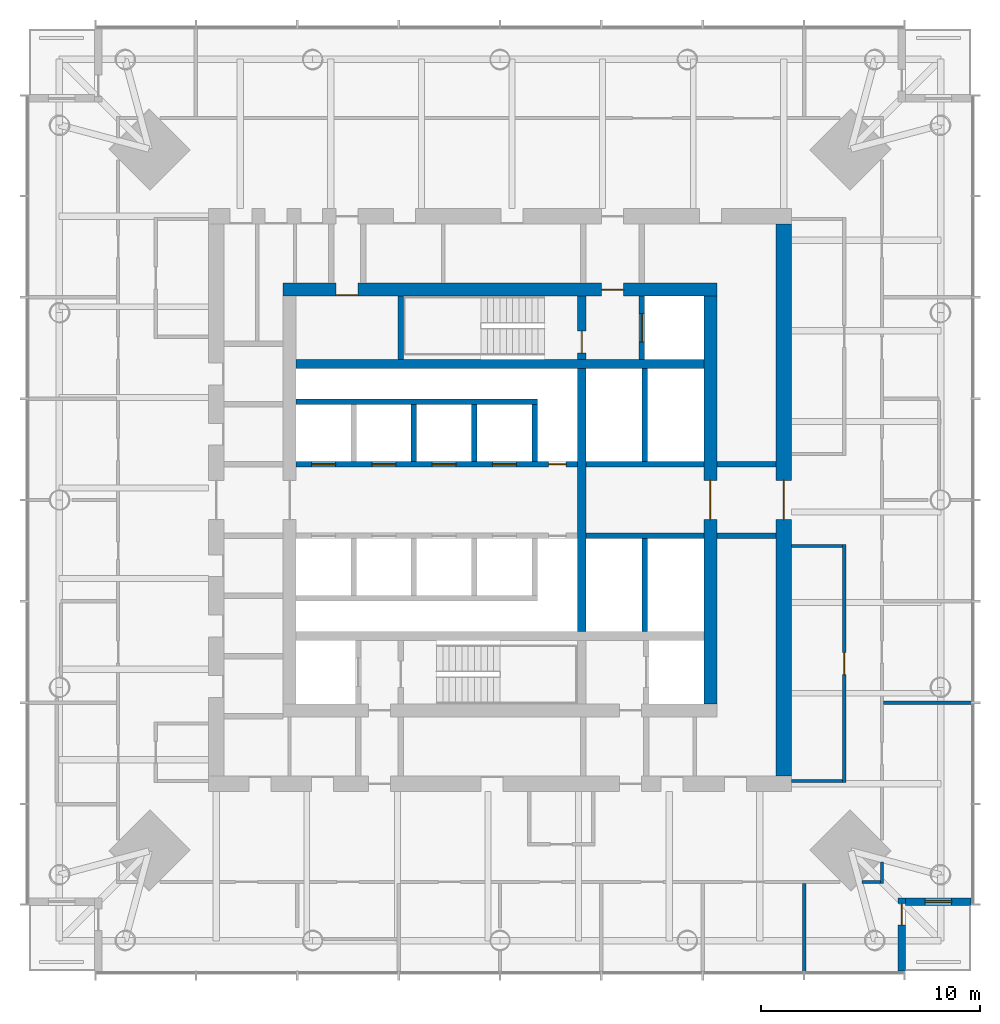
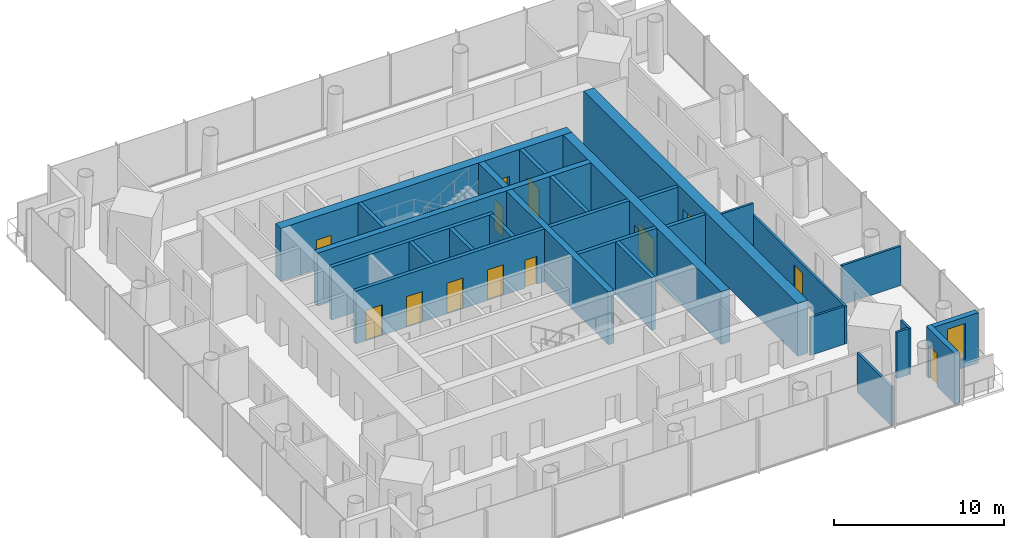
# One storey, part 6 of 9: 28 walls, 13 doors, 1 window, 14 openings.
"""IFC4 building model written with IfcOpenShell, lengths in metres."""

from ifc_helpers import new_model, si_unit, direction, frame, frame_2d, origin, place, context, subcontext, project, spatial, rectangle, extrude, material, layer, layer_set, type_object, element, fill, save


model = new_model("IFC4")

# Units and contexts
model_context = context("Model", 3, precision=1e-05, world=origin(), true_north=direction((0.0, 1.0)))
body_context = subcontext(model_context, "Body", "Model", "MODEL_VIEW")
ifc_project = project(units=[si_unit("LENGTHUNIT", "METRE"), si_unit("AREAUNIT", "SQUARE_METRE"), si_unit("VOLUMEUNIT", "CUBIC_METRE"), si_unit("PLANEANGLEUNIT", "RADIAN"), si_unit("MASSUNIT", "GRAM", prefix="KILO")], contexts=[model_context])

# Site, building, storey
site_placement = place(None, origin())
site = spatial("IfcSite", under=ifc_project, at=site_placement, CompositionType="ELEMENT")
building_placement = place(site_placement, origin())
building = spatial("IfcBuilding", under=site, at=building_placement, Name="Ostroluk Exchange", CompositionType="ELEMENT")
storey_placement = place(building_placement, frame((0.0, 0.0, 142.60009765625)))
storey = spatial("IfcBuildingStorey", under=building, at=storey_placement, Name="L36", CompositionType="ELEMENT", Elevation=142.60009765625)

# Walls
ifc_material_1 = material(Name="Concrete blockwork", Category="masonry")
ifc_layer_1 = layer(ifc_material_1, 0.25)
ifc_layer_set_1 = layer_set([ifc_layer_1], Name="Blockwork stair enclosure wall 250")
wall_type_1 = type_object("IfcWallType", Name="Blockwork stair enclosure wall 250", PredefinedType="SOLIDWALL", material=ifc_layer_set_1)
for number, where, z_axis, x_axis, name in (
    (1, (54.89990234375, 44.375, 0.0), (0.0, 0.0, 1.0), (1.0, 0.0, 0.0), "Lift lobby enclosure wall"),
    (2, (54.89990234375, 47.625, 0.0), (0.0, 0.0, 1.0), (1.0, 0.0, 0.0), "Lift lobby enclosure wall"),
):
    element("IfcWall", number, at=place(storey_placement, frame(where, z_axis=z_axis, x_axis=x_axis)), inside=storey, type_object=wall_type_1, Name=name, PredefinedType="SOLIDWALL", context=body_context, shape_type="SweptSolid", body=[
        extrude(rectangle(XDim=2.7001953125, YDim=0.25, at=frame_2d((1.35009765625, 0.0))), origin(), (0.0, 0.0, 1.0), 3.619873046875),
    ])
ifc_material_2 = material(Name="Concrete C50/60", Category="concrete")
ifc_layer_2 = layer(ifc_material_2, 0.39990234375)
ifc_layer_set_2 = layer_set([ifc_layer_2], Name="Core cross wall 400 C50/60")
wall_type_2 = type_object("IfcWallType", Name="Core cross wall 400 C50/60", PredefinedType="SHEAR", material=ifc_layer_set_2)
wall_1_placement = place(storey_placement, frame((35.699951171875, 52.199951171875, 0.0), z_axis=(0.0, 0.0, 1.0), x_axis=(1.0, 0.0, 0.0)))
element("IfcWall", 3, at=wall_1_placement, inside=storey, type_object=wall_type_2, Name="T1 core wall XN", PredefinedType="SHEAR", context=body_context, shape_type="SweptSolid", body=[
    extrude(rectangle(XDim=18.60009765625, YDim=0.39990234375, at=frame_2d((9.300048828125, 0.0))), origin(), (0.0, 0.0, 1.0), 3.7998046875),
])
wall_2_placement = place(storey_placement, frame((48.72998046875, 40.0, 0.0), z_axis=(0.0, 0.0, 1.0), x_axis=(0.0, 1.0, 0.0)))
element("IfcWall", 4, at=wall_2_placement, inside=storey, type_object=wall_type_2, Name="T1 core wall YE2", PredefinedType="SHEAR", context=body_context, shape_type="SweptSolid", body=[
    extrude(rectangle(XDim=12.0, YDim=0.39990234375, at=frame_2d((6.0, 0.0))), origin(), (0.0, 0.0, 1.0), 3.7998046875),
])

# Wall, opening, door
wall_3_placement = place(storey_placement, frame((48.72998046875, 52.39990234375, 0.0), z_axis=(0.0, 0.0, 1.0), x_axis=(0.0, 1.0, 0.0)))
wall_3 = element("IfcWall", 5, at=wall_3_placement, inside=storey, type_object=wall_type_2, Name="T1 core wall YE3", PredefinedType="SHEAR", context=body_context, shape_type="SweptSolid", body=[
    extrude(rectangle(XDim=2.900146484375, YDim=0.39990234375, at=frame_2d((1.4501953125, 0.0))), origin(), (0.0, 0.0, 1.0), 3.7998046875),
])
opening_1_placement = place(wall_3_placement, frame((0.300048828125, 0.0, 0.0)))
opening_1 = element("IfcOpeningElement", 6, at=opening_1_placement, cuts=wall_3, Name="Opening FD60", PredefinedType="OPENING", context=body_context, shape_type="SweptSolid", body=[
    extrude(rectangle(XDim=1.0, YDim=2.10009765625, at=frame_2d((0.5, 1.050048828125))), frame((0.0, 0.2099609375, 0.0), z_axis=(0.0, -1.0, 0.0), x_axis=(1.0, 0.0, 0.0)), (0.0, 0.0, 1.0), 0.419921875),
])
ifc_material_3 = material(Name="Steel", Category="steel")
door_type_1 = type_object("IfcDoorType", Name="Fire door EI 60 1000 x 2100", OperationType="SINGLE_SWING_LEFT", PredefinedType="DOOR", material=ifc_material_3)
door_1_placement = place(opening_1_placement, origin())
door_1 = element("IfcDoor", 7, at=door_1_placement, inside=storey, type_object=door_type_1, Name="Stair T1-S2 door", OperationType="SINGLE_SWING_LEFT", OverallHeight=2.10009765625, OverallWidth=1.0, PredefinedType="DOOR", context=body_context, shape_type="SweptSolid", body=[
    extrude(rectangle(XDim=1.0, YDim=2.10009765625, at=frame_2d((0.5, 1.050048828125))), frame((0.0, 0.02490234375, 0.0), z_axis=(0.0, -1.0, 0.0), x_axis=(1.0, 0.0, 0.0)), (0.0, 0.0, 1.0), 0.050048828125),
])
fill(opening_1, door_1)

# Wall
ifc_material_4 = material(Name="Concrete C40/50", Category="concrete")
ifc_layer_3 = layer(ifc_material_4, 0.25)
ifc_layer_set_3 = layer_set([ifc_layer_3], Name="Core shaft wall 250")
wall_type_3 = type_object("IfcWallType", Name="Core shaft wall 250", PredefinedType="SHEAR", material=ifc_layer_set_3)
wall_4_placement = place(storey_placement, frame((40.47509765625, 52.39990234375, 0.0), z_axis=(0.0, 0.0, 1.0), x_axis=(0.0, 1.0, 0.0)))
element("IfcWall", 8, at=wall_4_placement, inside=storey, type_object=wall_type_3, Name="Stair shaft wall", PredefinedType="SHEAR", context=body_context, shape_type="SweptSolid", body=[
    extrude(rectangle(XDim=2.900146484375, YDim=0.25, at=frame_2d((1.4501953125, 0.0))), origin(), (0.0, 0.0, 1.0), 3.7998046875),
])

# Wall, opening, door
wall_5_placement = place(storey_placement, frame((51.47509765625, 52.39990234375, 0.0), z_axis=(0.0, 0.0, 1.0), x_axis=(0.0, 1.0, 0.0)))
wall_5 = element("IfcWall", 9, at=wall_5_placement, inside=storey, type_object=wall_type_3, Name="Firefighting lift shaft wall", PredefinedType="SHEAR", context=body_context, shape_type="SweptSolid", body=[
    extrude(rectangle(XDim=2.900146484375, YDim=0.25, at=frame_2d((1.4501953125, 0.0))), origin(), (0.0, 0.0, 1.0), 3.7998046875),
])
opening_2_placement = place(wall_5_placement, frame((0.800048828125, 0.0, 0.0)))
opening_2 = element("IfcOpeningElement", 10, at=opening_2_placement, cuts=wall_5, Name="Opening LD2", PredefinedType="OPENING", context=body_context, shape_type="SweptSolid", body=[
    extrude(rectangle(XDim=1.300048828125, YDim=2.199951171875, at=frame_2d((0.64990234375, 1.10009765625))), frame((0.0, 0.135009765625, 0.0), z_axis=(0.0, -1.0, 0.0), x_axis=(1.0, 0.0, 0.0)), (0.0, 0.0, 1.0), 0.27001953125),
])
ifc_material_5 = material(Name="Stainless steel", Category="steel")
door_type_2 = type_object("IfcDoorType", Name="Lift landing door E 60 1300 x 2200", OperationType="DOUBLE_DOOR_SLIDING", PredefinedType="DOOR", material=ifc_material_5)
door_2_placement = place(opening_2_placement, origin())
door_2 = element("IfcDoor", 11, at=door_2_placement, inside=storey, type_object=door_type_2, Name="Lift FL2 landing door", OperationType="DOUBLE_DOOR_SLIDING", OverallHeight=2.199951171875, OverallWidth=1.300048828125, PredefinedType="DOOR", context=body_context, shape_type="SweptSolid", body=[
    extrude(rectangle(XDim=1.300048828125, YDim=2.199951171875, at=frame_2d((0.64990234375, 1.10009765625))), frame((0.0, 0.02490234375, 0.0), z_axis=(0.0, -1.0, 0.0), x_axis=(1.0, 0.0, 0.0)), (0.0, 0.0, 1.0), 0.050048828125),
])
fill(opening_2, door_2)

# Walls
for number, where, z_axis, x_axis, name in (
    (12, (41.074951171875, 47.75, 0.0), (0.0, 0.0, 1.0), (0.0, 1.0, 0.0), "Lift shaft wall"),
    (13, (43.824951171875, 47.75, 0.0), (0.0, 0.0, 1.0), (0.0, 1.0, 0.0), "Lift shaft wall"),
    (14, (46.574951171875, 47.75, 0.0), (0.0, 0.0, 1.0), (0.0, 1.0, 0.0), "Lift shaft wall"),
):
    element("IfcWall", number, at=place(storey_placement, frame(where, z_axis=z_axis, x_axis=x_axis)), inside=storey, type_object=wall_type_3, Name=name, PredefinedType="SHEAR", context=body_context, shape_type="SweptSolid", body=[
        extrude(rectangle(XDim=2.60009765625, YDim=0.25, at=frame_2d((1.300048828125, 0.0))), origin(), (0.0, 0.0, 1.0), 3.7998046875),
    ])
wall_6_placement = place(storey_placement, frame((35.699951171875, 50.47509765625, 0.0), z_axis=(0.0, 0.0, 1.0), x_axis=(1.0, 0.0, 0.0)))
element("IfcWall", 15, at=wall_6_placement, inside=storey, type_object=wall_type_3, Name="Lift shaft wall", PredefinedType="SHEAR", context=body_context, shape_type="SweptSolid", body=[
    extrude(rectangle(XDim=11.0, YDim=0.25, at=frame_2d((5.5, 0.0))), origin(), (0.0, 0.0, 1.0), 3.7998046875),
])

# Wall, openings, doors
wall_7_placement = place(storey_placement, frame((35.699951171875, 47.625, 0.0), z_axis=(0.0, 0.0, 1.0), x_axis=(1.0, 0.0, 0.0)))
wall_7 = element("IfcWall", 16, at=wall_7_placement, inside=storey, type_object=wall_type_3, Name="Lift shaft front wall", PredefinedType="SHEAR", context=body_context, shape_type="SweptSolid", body=[
    extrude(rectangle(XDim=12.830078125, YDim=0.25, at=frame_2d((6.4150390625, 0.0))), origin(), (0.0, 0.0, 1.0), 3.7998046875),
])
opening_3_placement = place(wall_7_placement, frame((0.699951171875, 0.0, 0.0)))
opening_3 = element("IfcOpeningElement", 17, at=opening_3_placement, cuts=wall_7, Name="Opening LD", PredefinedType="OPENING", context=body_context, shape_type="SweptSolid", body=[
    extrude(rectangle(XDim=1.10009765625, YDim=2.199951171875, at=frame_2d((0.550048828125, 1.10009765625))), frame((0.0, 0.135009765625, 0.0), z_axis=(0.0, -1.0, 0.0), x_axis=(1.0, 0.0, 0.0)), (0.0, 0.0, 1.0), 0.27001953125),
])
opening_4_placement = place(wall_7_placement, frame((3.449951171875, 0.0, 0.0)))
opening_4 = element("IfcOpeningElement", 18, at=opening_4_placement, cuts=wall_7, Name="Opening LD", PredefinedType="OPENING", context=body_context, shape_type="SweptSolid", body=[
    extrude(rectangle(XDim=1.10009765625, YDim=2.199951171875, at=frame_2d((0.550048828125, 1.10009765625))), frame((0.0, 0.135009765625, 0.0), z_axis=(0.0, -1.0, 0.0), x_axis=(1.0, 0.0, 0.0)), (0.0, 0.0, 1.0), 0.27001953125),
])
opening_5_placement = place(wall_7_placement, frame((6.199951171875, 0.0, 0.0)))
opening_5 = element("IfcOpeningElement", 19, at=opening_5_placement, cuts=wall_7, Name="Opening LD", PredefinedType="OPENING", context=body_context, shape_type="SweptSolid", body=[
    extrude(rectangle(XDim=1.10009765625, YDim=2.199951171875, at=frame_2d((0.550048828125, 1.10009765625))), frame((0.0, 0.135009765625, 0.0), z_axis=(0.0, -1.0, 0.0), x_axis=(1.0, 0.0, 0.0)), (0.0, 0.0, 1.0), 0.27001953125),
])
opening_6_placement = place(wall_7_placement, frame((8.949951171875, 0.0, 0.0)))
opening_6 = element("IfcOpeningElement", 20, at=opening_6_placement, cuts=wall_7, Name="Opening LD", PredefinedType="OPENING", context=body_context, shape_type="SweptSolid", body=[
    extrude(rectangle(XDim=1.10009765625, YDim=2.199951171875, at=frame_2d((0.550048828125, 1.10009765625))), frame((0.0, 0.135009765625, 0.0), z_axis=(0.0, -1.0, 0.0), x_axis=(1.0, 0.0, 0.0)), (0.0, 0.0, 1.0), 0.27001953125),
])
opening_7_placement = place(wall_7_placement, frame((11.514892578125, 0.0, 0.0)))
opening_7 = element("IfcOpeningElement", 21, at=opening_7_placement, cuts=wall_7, Name="Opening RD60", PredefinedType="OPENING", context=body_context, shape_type="SweptSolid", body=[
    extrude(rectangle(XDim=0.800048828125, YDim=2.0, at=frame_2d((0.39990234375, 1.0))), frame((0.0, 0.135009765625, 0.0), z_axis=(0.0, -1.0, 0.0), x_axis=(1.0, 0.0, 0.0)), (0.0, 0.0, 1.0), 0.27001953125),
])
ifc_material_6 = material(Name="Stainless steel", Category="steel")
door_type_3 = type_object("IfcDoorType", Name="Lift landing door E 60 1100 x 2200", OperationType="DOUBLE_DOOR_SLIDING", PredefinedType="DOOR", material=ifc_material_6)
door_3_placement = place(opening_3_placement, origin())
door_3 = element("IfcDoor", 22, at=door_3_placement, inside=storey, type_object=door_type_3, Name="Lift PL-M1 landing door", OperationType="DOUBLE_DOOR_SLIDING", OverallHeight=2.199951171875, OverallWidth=1.10009765625, PredefinedType="DOOR", context=body_context, shape_type="SweptSolid", body=[
    extrude(rectangle(XDim=1.10009765625, YDim=2.199951171875, at=frame_2d((0.550048828125, 1.10009765625))), frame((0.0, 0.02490234375, 0.0), z_axis=(0.0, -1.0, 0.0), x_axis=(1.0, 0.0, 0.0)), (0.0, 0.0, 1.0), 0.050048828125),
])
fill(opening_3, door_3)
door_4_placement = place(opening_4_placement, origin())
door_4 = element("IfcDoor", 23, at=door_4_placement, inside=storey, type_object=door_type_3, Name="Lift PL-M2 landing door", OperationType="DOUBLE_DOOR_SLIDING", OverallHeight=2.199951171875, OverallWidth=1.10009765625, PredefinedType="DOOR", context=body_context, shape_type="SweptSolid", body=[
    extrude(rectangle(XDim=1.10009765625, YDim=2.199951171875, at=frame_2d((0.550048828125, 1.10009765625))), frame((0.0, 0.02490234375, 0.0), z_axis=(0.0, -1.0, 0.0), x_axis=(1.0, 0.0, 0.0)), (0.0, 0.0, 1.0), 0.050048828125),
])
fill(opening_4, door_4)
door_5_placement = place(opening_5_placement, origin())
door_5 = element("IfcDoor", 24, at=door_5_placement, inside=storey, type_object=door_type_3, Name="Lift PL-M3 landing door", OperationType="DOUBLE_DOOR_SLIDING", OverallHeight=2.199951171875, OverallWidth=1.10009765625, PredefinedType="DOOR", context=body_context, shape_type="SweptSolid", body=[
    extrude(rectangle(XDim=1.10009765625, YDim=2.199951171875, at=frame_2d((0.550048828125, 1.10009765625))), frame((0.0, 0.02490234375, 0.0), z_axis=(0.0, -1.0, 0.0), x_axis=(1.0, 0.0, 0.0)), (0.0, 0.0, 1.0), 0.050048828125),
])
fill(opening_5, door_5)
door_6_placement = place(opening_6_placement, origin())
door_6 = element("IfcDoor", 25, at=door_6_placement, inside=storey, type_object=door_type_3, Name="Lift PL-M4 landing door", OperationType="DOUBLE_DOOR_SLIDING", OverallHeight=2.199951171875, OverallWidth=1.10009765625, PredefinedType="DOOR", context=body_context, shape_type="SweptSolid", body=[
    extrude(rectangle(XDim=1.10009765625, YDim=2.199951171875, at=frame_2d((0.550048828125, 1.10009765625))), frame((0.0, 0.02490234375, 0.0), z_axis=(0.0, -1.0, 0.0), x_axis=(1.0, 0.0, 0.0)), (0.0, 0.0, 1.0), 0.050048828125),
])
fill(opening_6, door_6)
ifc_material_7 = material(Name="Steel", Category="steel")
door_type_4 = type_object("IfcDoorType", Name="Riser access door EI 60 800 x 2000", OperationType="SINGLE_SWING_LEFT", PredefinedType="DOOR", material=ifc_material_7)
door_7_placement = place(opening_7_placement, origin())
door_7 = element("IfcDoor", 26, at=door_7_placement, inside=storey, type_object=door_type_4, Name="Riser access door", OperationType="SINGLE_SWING_RIGHT", OverallHeight=2.0, OverallWidth=0.800048828125, PredefinedType="DOOR", context=body_context, shape_type="SweptSolid", body=[
    extrude(rectangle(XDim=0.800048828125, YDim=2.0, at=frame_2d((0.39990234375, 1.0))), frame((0.0, 0.02490234375, 0.0), z_axis=(0.0, -1.0, 0.0), x_axis=(1.0, 0.0, 0.0)), (0.0, 0.0, 1.0), 0.050048828125),
])
fill(opening_7, door_7)

# Walls
wall_8_placement = place(storey_placement, frame((51.614990234375, 47.75, 0.0), z_axis=(0.0, 0.0, 1.0), x_axis=(0.0, 1.0, 0.0)))
element("IfcWall", 27, at=wall_8_placement, inside=storey, type_object=wall_type_3, Name="Lift shaft wall", PredefinedType="SHEAR", context=body_context, shape_type="SweptSolid", body=[
    extrude(rectangle(XDim=4.25, YDim=0.25, at=frame_2d((2.125, 0.0))), origin(), (0.0, 0.0, 1.0), 3.7998046875),
])
wall_9_placement = place(storey_placement, frame((48.929931640625, 47.625, 0.0), z_axis=(0.0, 0.0, 1.0), x_axis=(1.0, 0.0, 0.0)))
element("IfcWall", 28, at=wall_9_placement, inside=storey, type_object=wall_type_3, Name="Lift shaft front wall", PredefinedType="SHEAR", context=body_context, shape_type="SweptSolid", body=[
    extrude(rectangle(XDim=5.3701171875, YDim=0.25, at=frame_2d((2.68505859375, 0.0))), origin(), (0.0, 0.0, 1.0), 3.7998046875),
])
wall_10_placement = place(storey_placement, frame((51.614990234375, 44.25, 0.0), z_axis=(0.0, 0.0, 1.0), x_axis=(0.0, -1.0, 0.0)))
element("IfcWall", 29, at=wall_10_placement, inside=storey, type_object=wall_type_3, Name="Lift shaft wall", PredefinedType="SHEAR", context=body_context, shape_type="SweptSolid", body=[
    extrude(rectangle(XDim=4.25, YDim=0.25, at=frame_2d((2.125, 0.0))), origin(), (0.0, 0.0, 1.0), 3.7998046875),
])
wall_11_placement = place(storey_placement, frame((48.929931640625, 44.375, 0.0), z_axis=(0.0, 0.0, 1.0), x_axis=(1.0, 0.0, 0.0)))
element("IfcWall", 30, at=wall_11_placement, inside=storey, type_object=wall_type_3, Name="Lift shaft front wall", PredefinedType="SHEAR", context=body_context, shape_type="SweptSolid", body=[
    extrude(rectangle(XDim=5.3701171875, YDim=0.25, at=frame_2d((2.68505859375, 0.0))), origin(), (0.0, 0.0, 1.0), 3.7998046875),
])

# Wall, openings, doors
ifc_material_8 = material(Name="Concrete C50/60", Category="concrete")
ifc_layer_4 = layer(ifc_material_8, 0.60009765625)
ifc_layer_set_4 = layer_set([ifc_layer_4], Name="Core wall 600 C50/60")
wall_type_4 = type_object("IfcWallType", Name="Core wall 600 C50/60", PredefinedType="SHEAR", material=ifc_layer_set_4)
wall_12_placement = place(storey_placement, frame((35.10009765625, 55.60009765625, 0.0), z_axis=(0.0, 0.0, 1.0), x_axis=(1.0, 0.0, 0.0)))
wall_12 = element("IfcWall", 31, at=wall_12_placement, inside=storey, type_object=wall_type_4, Name="T1 core wall N", PredefinedType="SHEAR", context=body_context, shape_type="SweptSolid", body=[
    extrude(rectangle(XDim=19.7998046875, YDim=0.60009765625, at=frame_2d((9.89990234375, 0.0))), origin(), (0.0, 0.0, 1.0), 3.7998046875),
])
opening_8_placement = place(wall_12_placement, frame((14.5400390625, 0.0, 0.0)))
opening_8 = element("IfcOpeningElement", 32, at=opening_8_placement, cuts=wall_12, Name="Opening FD60", PredefinedType="OPENING", context=body_context, shape_type="SweptSolid", body=[
    extrude(rectangle(XDim=1.0, YDim=2.10009765625, at=frame_2d((0.5, 1.050048828125))), frame((0.0, 0.31005859375, 0.0), z_axis=(0.0, -1.0, 0.0), x_axis=(1.0, 0.0, 0.0)), (0.0, 0.0, 1.0), 0.6201171875),
])
opening_9_placement = place(wall_12_placement, frame((2.425048828125, 0.0, 0.0)))
opening_9 = element("IfcOpeningElement", 33, at=opening_9_placement, cuts=wall_12, Name="Opening FD60", PredefinedType="OPENING", context=body_context, shape_type="SweptSolid", body=[
    extrude(rectangle(XDim=1.0, YDim=2.10009765625, at=frame_2d((0.5, 1.050048828125))), frame((0.0, 0.31005859375, 0.0), z_axis=(0.0, -1.0, 0.0), x_axis=(1.0, 0.0, 0.0)), (0.0, 0.0, 1.0), 0.6201171875),
])
door_8_placement = place(opening_8_placement, origin())
door_8 = element("IfcDoor", 34, at=door_8_placement, inside=storey, type_object=door_type_1, Name="Firefighting lobby door", OperationType="SINGLE_SWING_RIGHT", OverallHeight=2.10009765625, OverallWidth=1.0, PredefinedType="DOOR", context=body_context, shape_type="SweptSolid", body=[
    extrude(rectangle(XDim=1.0, YDim=2.10009765625, at=frame_2d((0.5, 1.050048828125))), frame((0.0, 0.02490234375, 0.0), z_axis=(0.0, -1.0, 0.0), x_axis=(1.0, 0.0, 0.0)), (0.0, 0.0, 1.0), 0.050048828125),
])
fill(opening_8, door_8)
door_9_placement = place(opening_9_placement, origin())
door_9 = element("IfcDoor", 35, at=door_9_placement, inside=storey, type_object=door_type_1, Name="Tea point door", OperationType="SINGLE_SWING_LEFT", OverallHeight=2.10009765625, OverallWidth=1.0, PredefinedType="DOOR", context=body_context, shape_type="SweptSolid", body=[
    extrude(rectangle(XDim=1.0, YDim=2.10009765625, at=frame_2d((0.5, 1.050048828125))), frame((0.0, -0.23974609375, 0.0), z_axis=(0.0, -1.0, 0.0), x_axis=(1.0, 0.0, 0.0)), (0.0, 0.0, 1.0), 0.050048828125),
])
fill(opening_9, door_9)

# Wall, opening, door
wall_13_placement = place(storey_placement, frame((54.60009765625, 36.699951171875, 0.0), z_axis=(0.0, 0.0, 1.0), x_axis=(0.0, 1.0, 0.0)))
wall_13 = element("IfcWall", 36, at=wall_13_placement, inside=storey, type_object=wall_type_4, Name="T1 core wall E", PredefinedType="SHEAR", context=body_context, shape_type="SweptSolid", body=[
    extrude(rectangle(XDim=18.60009765625, YDim=0.60009765625, at=frame_2d((9.300048828125, 0.0))), origin(), (0.0, 0.0, 1.0), 3.7998046875),
])
opening_10_placement = place(wall_13_placement, frame((8.39990234375, 0.0, 0.0)))
opening_10 = element("IfcOpeningElement", 37, at=opening_10_placement, cuts=wall_13, Name="Opening FD30D", PredefinedType="OPENING", context=body_context, shape_type="SweptSolid", body=[
    extrude(rectangle(XDim=1.800048828125, YDim=2.39990234375, at=frame_2d((0.89990234375, 1.199951171875))), frame((0.0, 0.31005859375, 0.0), z_axis=(0.0, -1.0, 0.0), x_axis=(1.0, 0.0, 0.0)), (0.0, 0.0, 1.0), 0.6201171875),
])
ifc_material_9 = material(Name="Timber", Category="wood")
door_type_5 = type_object("IfcDoorType", Name="Lobby double door EI 30 1800 x 2400", OperationType="DOUBLE_DOOR_SINGLE_SWING", PredefinedType="DOOR", material=ifc_material_9)
door_10_placement = place(opening_10_placement, origin())
door_10 = element("IfcDoor", 38, at=door_10_placement, inside=storey, type_object=door_type_5, Name="Lift lobby doors", OperationType="DOUBLE_DOOR_SINGLE_SWING", OverallHeight=2.39990234375, OverallWidth=1.800048828125, PredefinedType="DOOR", context=body_context, shape_type="SweptSolid", body=[
    extrude(rectangle(XDim=1.800048828125, YDim=2.39990234375, at=frame_2d((0.89990234375, 1.199951171875))), frame((0.0, 0.02490234375, 0.0), z_axis=(0.0, -1.0, 0.0), x_axis=(1.0, 0.0, 0.0)), (0.0, 0.0, 1.0), 0.050048828125),
])
fill(opening_10, door_10)

ifc_material_10 = material(Name="Concrete C50/60", Category="concrete")
ifc_layer_5 = layer(ifc_material_10, 0.699951171875)
ifc_layer_set_5 = layer_set([ifc_layer_5], Name="Core wall 700 C50/60")
wall_type_5 = type_object("IfcWallType", Name="Core wall 700 C50/60", PredefinedType="SHEAR", material=ifc_layer_set_5)
wall_14_placement = place(storey_placement, frame((57.949951171875, 33.39990234375, 0.0), z_axis=(0.0, 0.0, 1.0), x_axis=(0.0, 1.0, 0.0)))
wall_14 = element("IfcWall", 39, at=wall_14_placement, inside=storey, type_object=wall_type_5, Name="T1 core wall RE", PredefinedType="SHEAR", context=body_context, shape_type="SweptSolid", body=[
    extrude(rectangle(XDim=25.2001953125, YDim=0.699951171875, at=frame_2d((12.60009765625, 0.0))), origin(), (0.0, 0.0, 1.0), 3.7998046875),
])
opening_11_placement = place(wall_14_placement, frame((11.699951171875, 0.0, 0.0)))
opening_11 = element("IfcOpeningElement", 40, at=opening_11_placement, cuts=wall_14, Name="Opening FD30D", PredefinedType="OPENING", context=body_context, shape_type="SweptSolid", body=[
    extrude(rectangle(XDim=1.800048828125, YDim=2.39990234375, at=frame_2d((0.89990234375, 1.199951171875))), frame((0.0, 0.35986328125, 0.0), z_axis=(0.0, -1.0, 0.0), x_axis=(1.0, 0.0, 0.0)), (0.0, 0.0, 1.0), 0.719970703125),
])
door_11_placement = place(opening_11_placement, origin())
door_11 = element("IfcDoor", 41, at=door_11_placement, inside=storey, type_object=door_type_5, Name="Lift lobby doors", OperationType="DOUBLE_DOOR_SINGLE_SWING", OverallHeight=2.39990234375, OverallWidth=1.800048828125, PredefinedType="DOOR", context=body_context, shape_type="SweptSolid", body=[
    extrude(rectangle(XDim=1.800048828125, YDim=2.39990234375, at=frame_2d((0.89990234375, 1.199951171875))), frame((0.0, 0.02490234375, 0.0), z_axis=(0.0, -1.0, 0.0), x_axis=(1.0, 0.0, 0.0)), (0.0, 0.0, 1.0), 0.050048828125),
])
fill(opening_11, door_11)

ifc_material_11 = material(Name="Limestone", Category="masonry")
ifc_layer_6 = layer(ifc_material_11, 0.35009765625)
ifc_layer_set_6 = layer_set([ifc_layer_6], Name="Limestone facade wall 350")
wall_type_6 = type_object("IfcWallType", Name="Limestone facade wall 350", PredefinedType="SOLIDWALL", material=ifc_layer_set_6)
wall_15_placement = place(storey_placement, frame((63.324951171875, 24.5, 0.0), z_axis=(0.0, 0.0, 1.0), x_axis=(0.0, 1.0, 0.0)))
wall_15 = element("IfcWall", 42, at=wall_15_placement, inside=storey, type_object=wall_type_6, Name="Office tower SE corner wall L36 a", PredefinedType="SOLIDWALL", context=body_context, shape_type="SweptSolid", body=[
    extrude(rectangle(XDim=3.35009765625, YDim=0.35009765625, at=frame_2d((1.675048828125, 0.0))), origin(), (0.0, 0.0, 1.0), 3.619873046875),
])
opening_12_placement = place(wall_15_placement, frame((2.10009765625, 0.0, 0.0)))
opening_12 = element("IfcOpeningElement", 43, at=opening_12_placement, cuts=wall_15, Name="Opening D-B1", PredefinedType="OPENING", context=body_context, shape_type="SweptSolid", body=[
    extrude(rectangle(XDim=1.0, YDim=2.39990234375, at=frame_2d((0.5, 1.199951171875))), frame((0.0, 0.18505859375, 0.0), z_axis=(0.0, -1.0, 0.0), x_axis=(1.0, 0.0, 0.0)), (0.0, 0.0, 1.0), 0.3701171875),
])
ifc_material_12 = material(Name="Bronze framed glazed door", Category="aluminium")
door_type_6 = type_object("IfcDoorType", Name="Balcony door 1000 x 2400", OperationType="SINGLE_SWING_LEFT", PredefinedType="DOOR", material=ifc_material_12)
door_12_placement = place(opening_12_placement, origin())
door_12 = element("IfcDoor", 44, at=door_12_placement, inside=storey, type_object=door_type_6, Name="Office tower SE balcony door L36", OperationType="SINGLE_SWING_RIGHT", OverallHeight=2.39990234375, OverallWidth=1.0, PredefinedType="DOOR", context=body_context, shape_type="SweptSolid", body=[
    extrude(rectangle(XDim=1.0, YDim=2.39990234375, at=frame_2d((0.5, 1.199951171875))), frame((0.0, 0.02490234375, 0.0), z_axis=(0.0, -1.0, 0.0), x_axis=(1.0, 0.0, 0.0)), (0.0, 0.0, 1.0), 0.050048828125),
])
fill(opening_12, door_12)

# Wall, opening, window
wall_16_placement = place(storey_placement, frame((63.5, 27.675048828125, 0.0), z_axis=(0.0, 0.0, 1.0), x_axis=(1.0, 0.0, 0.0)))
wall_16 = element("IfcWall", 45, at=wall_16_placement, inside=storey, type_object=wall_type_6, Name="Office tower SE corner wall L36 b", PredefinedType="SOLIDWALL", context=body_context, shape_type="SweptSolid", body=[
    extrude(rectangle(XDim=3.0, YDim=0.35009765625, at=frame_2d((1.5, 0.0))), origin(), (0.0, 0.0, 1.0), 3.619873046875),
])
opening_13_placement = place(wall_16_placement, frame((0.89990234375, 0.0, 0.60009765625)))
opening_13 = element("IfcOpeningElement", 46, at=opening_13_placement, cuts=wall_16, Name="Opening WN-L1", PredefinedType="OPENING", context=body_context, shape_type="SweptSolid", body=[
    extrude(rectangle(XDim=1.199951171875, YDim=2.550048828125, at=frame_2d((0.60009765625, 1.27490234375))), frame((0.0, 0.18505859375, 0.0), z_axis=(0.0, -1.0, 0.0), x_axis=(1.0, 0.0, 0.0)), (0.0, 0.0, 1.0), 0.3701171875),
])
ifc_material_13 = material(Name="Laminated clear glass", Category="glass")
window_type = type_object("IfcWindowType", Name="Lancet window 1200 x 2550", PartitioningType="SINGLE_PANEL", PredefinedType="WINDOW", material=ifc_material_13)
window_placement = place(opening_13_placement, origin())
window = element("IfcWindow", 47, at=window_placement, inside=storey, type_object=window_type, Name="Office tower SE lancet window L36", OverallHeight=2.550048828125, OverallWidth=1.199951171875, PartitioningType="SINGLE_PANEL", PredefinedType="WINDOW", context=body_context, shape_type="SweptSolid", body=[
    extrude(rectangle(XDim=1.199951171875, YDim=2.550048828125, at=frame_2d((0.60009765625, 1.27490234375))), frame((0.0, 0.030029296875, 0.0), z_axis=(0.0, -1.0, 0.0), x_axis=(1.0, 0.0, 0.0)), (0.0, 0.0, 1.0), 0.06005859375),
])
fill(opening_13, window)

# Wall, opening, door
ifc_material_14 = material(Name="Gypsum plasterboard partition", Category="gypsum")
ifc_layer_7 = layer(ifc_material_14, 0.14990234375)
ifc_layer_set_7 = layer_set([ifc_layer_7], Name="Plasterboard partition 150")
wall_type_7 = type_object("IfcWallType", Name="Plasterboard partition 150", PredefinedType="PARTITIONING", material=ifc_layer_set_7)
wall_17_placement = place(storey_placement, frame((60.699951171875, 33.10009765625, 0.0), z_axis=(0.0, 0.0, 1.0), x_axis=(0.0, 1.0, 0.0)))
wall_17 = element("IfcWall", 48, at=wall_17_placement, inside=storey, type_object=wall_type_7, Name="Partition", PredefinedType="PARTITIONING", context=body_context, shape_type="SweptSolid", body=[
    extrude(rectangle(XDim=10.875, YDim=0.14990234375, at=frame_2d((5.4375, 0.0))), origin(), (0.0, 0.0, 1.0), 2.719970703125),
])
opening_14_placement = place(wall_17_placement, frame((4.9375, 0.0, 0.0)))
opening_14 = element("IfcOpeningElement", 49, at=opening_14_placement, cuts=wall_17, Name="Opening D-03", PredefinedType="OPENING", context=body_context, shape_type="SweptSolid", body=[
    extrude(rectangle(XDim=1.0, YDim=2.10009765625, at=frame_2d((0.5, 1.050048828125))), frame((0.0, 0.0849609375, 0.0), z_axis=(0.0, -1.0, 0.0), x_axis=(1.0, 0.0, 0.0)), (0.0, 0.0, 1.0), 0.169921875),
])
ifc_material_15 = material(Name="Timber", Category="wood")
door_type_7 = type_object("IfcDoorType", Name="Internal door 1000 x 2100", OperationType="SINGLE_SWING_LEFT", PredefinedType="DOOR", material=ifc_material_15)
door_13_placement = place(opening_14_placement, origin())
door_13 = element("IfcDoor", 50, at=door_13_placement, inside=storey, type_object=door_type_7, Name="Quiet room door", OperationType="SINGLE_SWING_LEFT", OverallHeight=2.10009765625, OverallWidth=1.0, PredefinedType="DOOR", context=body_context, shape_type="SweptSolid", body=[
    extrude(rectangle(XDim=1.0, YDim=2.10009765625, at=frame_2d((0.5, 1.050048828125))), frame((0.0, 0.02490234375, 0.0), z_axis=(0.0, -1.0, 0.0), x_axis=(1.0, 0.0, 0.0)), (0.0, 0.0, 1.0), 0.050048828125),
])
fill(opening_14, door_13)

# Walls
wall_18_placement = place(storey_placement, frame((58.300048828125, 33.175048828125, 0.0), z_axis=(0.0, 0.0, 1.0), x_axis=(1.0, 0.0, 0.0)))
element("IfcWall", 51, at=wall_18_placement, inside=storey, type_object=wall_type_7, Name="Partition", PredefinedType="PARTITIONING", context=body_context, shape_type="SweptSolid", body=[
    extrude(rectangle(XDim=2.324951171875, YDim=0.14990234375, at=frame_2d((1.16259765625, 0.0))), origin(), (0.0, 0.0, 1.0), 2.719970703125),
])
wall_19_placement = place(storey_placement, frame((58.300048828125, 43.89990234375, 0.0), z_axis=(0.0, 0.0, 1.0), x_axis=(1.0, 0.0, 0.0)))
element("IfcWall", 52, at=wall_19_placement, inside=storey, type_object=wall_type_7, Name="Partition", PredefinedType="PARTITIONING", context=body_context, shape_type="SweptSolid", body=[
    extrude(rectangle(XDim=2.324951171875, YDim=0.14990234375, at=frame_2d((1.16259765625, 0.0))), origin(), (0.0, 0.0, 1.0), 3.619873046875),
])
wall_20_placement = place(storey_placement, frame((62.425048828125, 28.5, 0.0), z_axis=(0.0, 0.0, 1.0), x_axis=(0.0, 1.0, 0.0)))
element("IfcWall", 53, at=wall_20_placement, inside=storey, type_object=wall_type_7, Name="Partition", PredefinedType="PARTITIONING", context=body_context, shape_type="SweptSolid", body=[
    extrude(rectangle(XDim=0.98291015625, YDim=0.14990234375, at=frame_2d((0.491455078125, 0.0))), origin(), (0.0, 0.0, 1.0), 3.31982421875),
])
wall_21_placement = place(storey_placement, frame((62.5, 36.75, 0.0), z_axis=(0.0, 0.0, 1.0), x_axis=(1.0, 0.0, 0.0)))
element("IfcWall", 54, at=wall_21_placement, inside=storey, type_object=wall_type_7, Name="Partition", PredefinedType="PARTITIONING", context=body_context, shape_type="SweptSolid", body=[
    extrude(rectangle(XDim=4.0400390625, YDim=0.14990234375, at=frame_2d((2.02001953125, 0.0))), origin(), (0.0, 0.0, 1.0), 2.81982421875),
])
wall_22_placement = place(storey_placement, frame((61.51708984375, 28.574951171875, 0.0), z_axis=(0.0, 0.0, 1.0), x_axis=(1.0, 0.0, 0.0)))
element("IfcWall", 55, at=wall_22_placement, inside=storey, type_object=wall_type_7, Name="Partition", PredefinedType="PARTITIONING", context=body_context, shape_type="SweptSolid", body=[
    extrude(rectangle(XDim=0.8330078125, YDim=0.14990234375, at=frame_2d((0.41650390625, 0.0))), origin(), (0.0, 0.0, 1.0), 3.31982421875),
])
wall_23_placement = place(storey_placement, frame((58.875, 28.5, 0.0), z_axis=(0.0, 0.0, 1.0), x_axis=(0.0, -1.0, 0.0)))
element("IfcWall", 56, at=wall_23_placement, inside=storey, type_object=wall_type_7, Name="Partition", PredefinedType="PARTITIONING", context=body_context, shape_type="SweptSolid", body=[
    extrude(rectangle(XDim=4.0400390625, YDim=0.14990234375, at=frame_2d((2.02001953125, 0.0))), origin(), (0.0, 0.0, 1.0), 2.81982421875),
])

save(model, "model.ifc")
